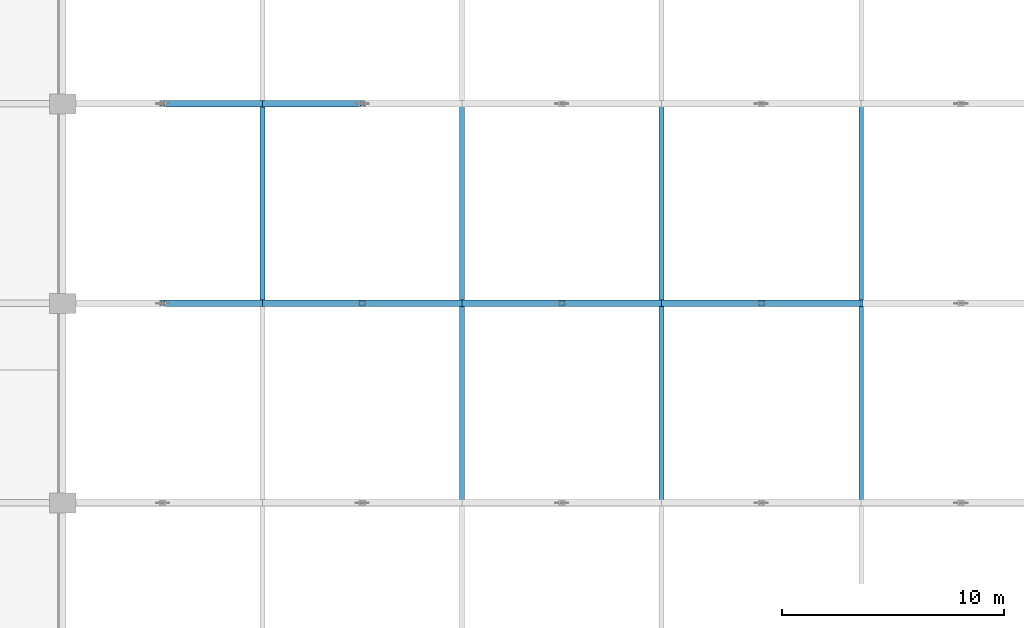
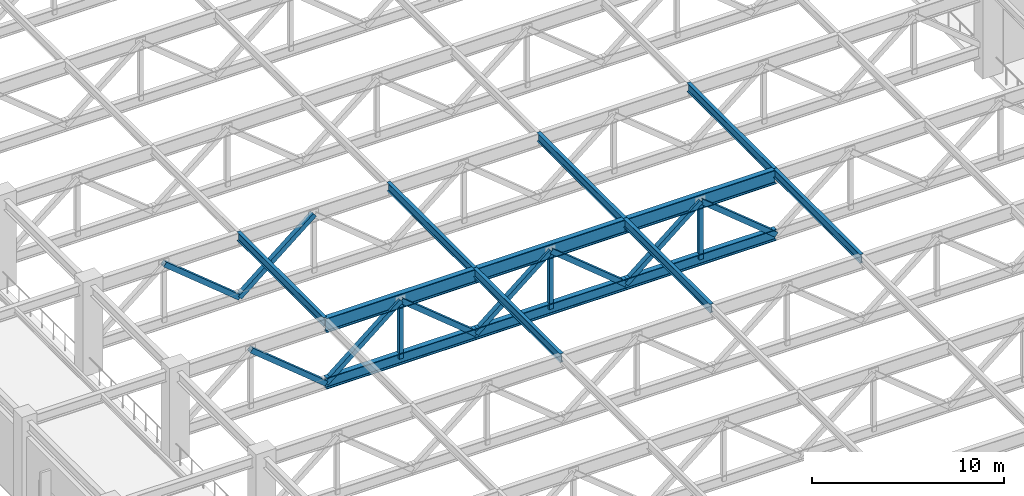
# One storey, part 17 of 223: 13 beams, 12 members.
"""IFC4 building model written with IfcOpenShell, lengths in metres."""

from ifc_helpers import new_model, si_unit, direction, frame, origin, origin_2d, place, context, subcontext, project, spatial, hollow_rectangle, i_section, extrude, material, material_profile, profile_set, type_object, element, save


model = new_model("IFC4")

# Units and contexts
model_context = context("Model", 3, precision=1e-05, world=origin(), true_north=direction((0.0, 1.0)))
body_context = subcontext(model_context, "Body", "Model", "MODEL_VIEW")
ifc_project = project(units=[si_unit("LENGTHUNIT", "METRE"), si_unit("AREAUNIT", "SQUARE_METRE"), si_unit("VOLUMEUNIT", "CUBIC_METRE"), si_unit("PLANEANGLEUNIT", "RADIAN"), si_unit("MASSUNIT", "GRAM", prefix="KILO")], contexts=[model_context])

# Site, building, storey
site_placement = place(None, origin())
site = spatial("IfcSite", under=ifc_project, at=site_placement, CompositionType="ELEMENT")
building_placement = place(site_placement, origin())
building = spatial("IfcBuilding", under=site, at=building_placement, Name="Dornveld Trade and Exhibition Forum", CompositionType="ELEMENT")
storey_placement = place(building_placement, frame((0.0, 0.0, 6.0)))
storey = spatial("IfcBuildingStorey", under=building, at=storey_placement, Name="L01", CompositionType="ELEMENT", Elevation=6.0)

# Beams
ifc_material_1 = material(Name="Steel S355J2", Category="steel")
ifc_material_profile_1 = material_profile(ifc_material_1, i_section(OverallWidth=0.2099609375, OverallDepth=0.550048828125, WebThickness=0.010986328125, FlangeThickness=0.01708984375, FilletRadius=0.02392578125, at=origin_2d()), Name="IPE 550")
ifc_profile_set_1 = profile_set([ifc_material_profile_1], Name="Steel S355J2")
beam_type_1 = type_object("IfcBeamType", Name="BM-SEC-550", PredefinedType="BEAM", material=ifc_profile_set_1)
for number, where, z_axis, x_axis, name in (
    (1, (36.0, 72.0, 5.364990234375), (0.0, 1.0, 0.0), (-1.0, 0.0, 0.0), "Hall 3 secondary deck beam 1378"),
    (2, (45.0, 63.0, 5.364990234375), (0.0, 1.0, 0.0), (-1.0, 0.0, 0.0), "Hall 3 secondary deck beam 1388"),
    (3, (45.0, 72.0, 5.364990234375), (0.0, 1.0, 0.0), (-1.0, 0.0, 0.0), "Hall 3 secondary deck beam 1389"),
    (4, (54.0, 63.0, 5.364990234375), (0.0, 1.0, 0.0), (-1.0, 0.0, 0.0), "Hall 3 secondary deck beam 1399"),
    (5, (54.0, 72.0, 5.364990234375), (0.0, 1.0, 0.0), (-1.0, 0.0, 0.0), "Hall 3 secondary deck beam 1400"),
    (6, (63.0, 63.0, 5.364990234375), (0.0, 1.0, 0.0), (-1.0, 0.0, 0.0), "Hall 3 secondary deck beam 1410"),
    (7, (63.0, 72.0, 5.364990234375), (0.0, 1.0, 0.0), (-1.0, 0.0, 0.0), "Hall 3 secondary deck beam 1411"),
):
    element("IfcBeam", number, at=place(storey_placement, frame(where, z_axis=z_axis, x_axis=x_axis)), inside=storey, type_object=beam_type_1, Name=name, PredefinedType="BEAM", context=body_context, shape_type="SweptSolid", body=[
        extrude(i_section(OverallWidth=0.2099609375, OverallDepth=0.550048828125, WebThickness=0.010986328125, FlangeThickness=0.01708984375, FilletRadius=0.02392578125, at=origin_2d()), origin(), (0.0, 0.0, 1.0), 9.0),
    ])
ifc_material_2 = material(Name="Steel S355J2", Category="steel")
ifc_material_profile_2 = material_profile(ifc_material_2, i_section(OverallWidth=0.303955078125, OverallDepth=0.716064453125, WebThickness=0.02099609375, FlangeThickness=0.0400390625, FilletRadius=0.027099609375, at=origin_2d()), Name="HEM 700")
ifc_profile_set_2 = profile_set([ifc_material_profile_2], Name="Steel S355J2")
beam_type_2 = type_object("IfcBeamType", Name="BM-TG-BOT700", PredefinedType="USERDEFINED", material=ifc_profile_set_2)
for number, where, z_axis, x_axis, name in (
    (8, (36.0, 72.0, 1.5), (1.0, 0.0, 0.0), (0.0, 1.0, 0.0), "Hall 3 transfer truss 4 bottom chord 2"),
    (9, (45.0, 72.0, 1.5), (1.0, 0.0, 0.0), (0.0, 1.0, 0.0), "Hall 3 transfer truss 4 bottom chord 3"),
    (10, (54.0, 72.0, 1.5), (1.0, 0.0, 0.0), (0.0, 1.0, 0.0), "Hall 3 transfer truss 4 bottom chord 4"),
):
    element("IfcBeam", number, at=place(storey_placement, frame(where, z_axis=z_axis, x_axis=x_axis)), inside=storey, type_object=beam_type_2, Name=name, ObjectType="GIRDER", PredefinedType="USERDEFINED", context=body_context, shape_type="SweptSolid", body=[
        extrude(i_section(OverallWidth=0.303955078125, OverallDepth=0.716064453125, WebThickness=0.02099609375, FlangeThickness=0.0400390625, FilletRadius=0.027099609375, at=origin_2d()), origin(), (0.0, 0.0, 1.0), 9.0),
    ])
ifc_material_3 = material(Name="Steel S355J2", Category="steel")
ifc_material_profile_3 = material_profile(ifc_material_3, i_section(OverallWidth=0.302001953125, OverallDepth=0.909912109375, WebThickness=0.02099609375, FlangeThickness=0.0400390625, FilletRadius=0.030029296875, at=origin_2d()), Name="HEM 900")
ifc_profile_set_3 = profile_set([ifc_material_profile_3], Name="Steel S355J2")
beam_type_3 = type_object("IfcBeamType", Name="BM-TG-TOP900", PredefinedType="USERDEFINED", material=ifc_profile_set_3)
for number, where, z_axis, x_axis, name in (
    (11, (36.0, 72.0, 5.18505859375), (1.0, 0.0, 0.0), (0.0, 1.0, 0.0), "Hall 3 transfer truss 4 top chord 2"),
    (12, (45.0, 72.0, 5.18505859375), (1.0, 0.0, 0.0), (0.0, 1.0, 0.0), "Hall 3 transfer truss 4 top chord 3"),
    (13, (54.0, 72.0, 5.18505859375), (1.0, 0.0, 0.0), (0.0, 1.0, 0.0), "Hall 3 transfer truss 4 top chord 4"),
):
    element("IfcBeam", number, at=place(storey_placement, frame(where, z_axis=z_axis, x_axis=x_axis)), inside=storey, type_object=beam_type_3, Name=name, ObjectType="GIRDER", PredefinedType="USERDEFINED", context=body_context, shape_type="SweptSolid", body=[
        extrude(i_section(OverallWidth=0.302001953125, OverallDepth=0.909912109375, WebThickness=0.02099609375, FlangeThickness=0.0400390625, FilletRadius=0.030029296875, at=origin_2d()), origin(), (0.0, 0.0, 1.0), 9.0),
    ])

# Members
ifc_material_4 = material(Name="Steel S355J2", Category="steel")
ifc_material_profile_4 = material_profile(ifc_material_4, hollow_rectangle(XDim=0.25, YDim=0.25, WallThickness=0.012451171875, at=origin_2d()), Name="SHS 250x250x12.5")
ifc_profile_set_4 = profile_set([ifc_material_profile_4], Name="Steel S355J2")
member_type_1 = type_object("IfcMemberType", Name="MEM-XFER-STR", PredefinedType="STRUT", material=ifc_profile_set_4)
for number, where, z_axis, x_axis, name in (
    (14, (40.5, 72.0, 1.5), (0.0, 0.0, 1.0), (1.0, 0.0, 0.0), "Transfer truss 4 strut 60"),
    (15, (49.5, 72.0, 1.5), (0.0, 0.0, 1.0), (1.0, 0.0, 0.0), "Transfer truss 4 strut 63"),
    (16, (58.5, 72.0, 1.5), (0.0, 0.0, 1.0), (1.0, 0.0, 0.0), "Transfer truss 4 strut 66"),
):
    element("IfcMember", number, at=place(storey_placement, frame(where, z_axis=z_axis, x_axis=x_axis)), inside=storey, type_object=member_type_1, Name=name, PredefinedType="STRUT", context=body_context, shape_type="SweptSolid", body=[
        extrude(hollow_rectangle(XDim=0.25, YDim=0.25, WallThickness=0.012451171875, at=origin_2d()), origin(), (0.0, 0.0, 1.0), 3.68505859375),
    ])
ifc_material_5 = material(Name="Steel S355J2", Category="steel")
ifc_material_profile_5 = material_profile(ifc_material_5, hollow_rectangle(XDim=0.300048828125, YDim=0.300048828125, WallThickness=0.01611328125, at=origin_2d()), Name="SHS 300x300x16")
ifc_profile_set_5 = profile_set([ifc_material_profile_5], Name="Steel S355J2")
member_type_2 = type_object("IfcMemberType", Name="MEM-XFER-WEB", PredefinedType="BRACE", material=ifc_profile_set_5)
for number, where, z_axis, x_axis, name in (
    (17, (36.0, 72.0, 1.5), (-0.773684181611, 0.0, 0.633571453843), (0.0, -1.0, 0.0), "Transfer truss 4 web 56"),
    (18, (36.0, 72.0, 1.5), (0.773684181611, 0.0, 0.633571453843), (0.0, 1.0, 0.0), "Transfer truss 4 web 58"),
    (19, (45.0, 72.0, 1.5), (-0.773684181611, 0.0, 0.633571453843), (0.0, -1.0, 0.0), "Transfer truss 4 web 59"),
    (20, (45.0, 72.0, 1.5), (0.773684181611, 0.0, 0.633571453843), (0.0, 1.0, 0.0), "Transfer truss 4 web 61"),
    (21, (54.0, 72.0, 1.5), (-0.773684181611, 0.0, 0.633571453843), (0.0, -1.0, 0.0), "Transfer truss 4 web 62"),
    (22, (54.0, 72.0, 1.5), (0.773684181611, 0.0, 0.633571453843), (0.0, 1.0, 0.0), "Transfer truss 4 web 64"),
    (23, (63.0, 72.0, 1.5), (-0.773684181611, 0.0, 0.633571453843), (0.0, -1.0, 0.0), "Transfer truss 4 web 65"),
    (24, (36.0, 81.0, 1.5), (-0.773684181611, 0.0, 0.633571453843), (0.0, -1.0, 0.0), "Transfer truss 5 web 74"),
    (25, (36.0, 81.0, 1.5), (0.773684181611, 0.0, 0.633571453843), (0.0, 1.0, 0.0), "Transfer truss 5 web 76"),
):
    element("IfcMember", number, at=place(storey_placement, frame(where, z_axis=z_axis, x_axis=x_axis)), inside=storey, type_object=member_type_2, Name=name, PredefinedType="BRACE", context=body_context, shape_type="SweptSolid", body=[
        extrude(hollow_rectangle(XDim=0.300048828125, YDim=0.300048828125, WallThickness=0.01611328125, at=origin_2d()), origin(), (0.0, 0.0, 1.0), 5.81640625),
    ])

save(model, "model.ifc")
